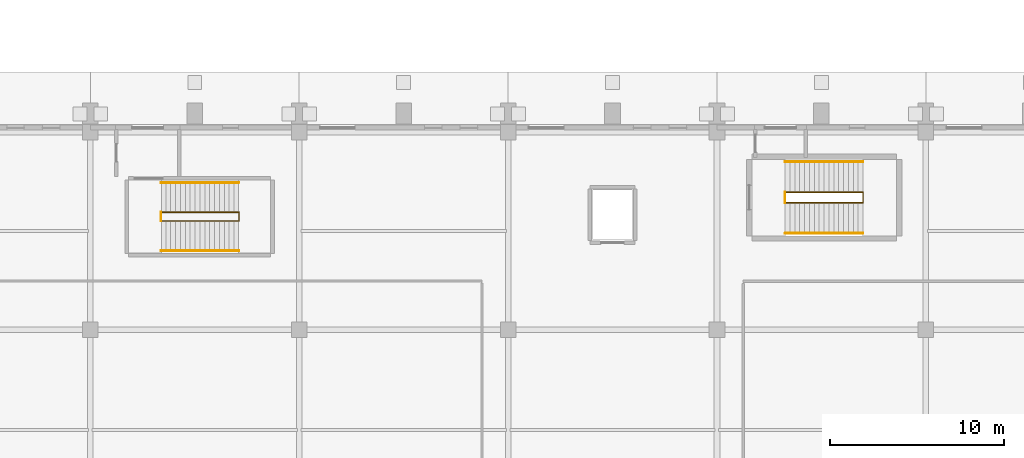
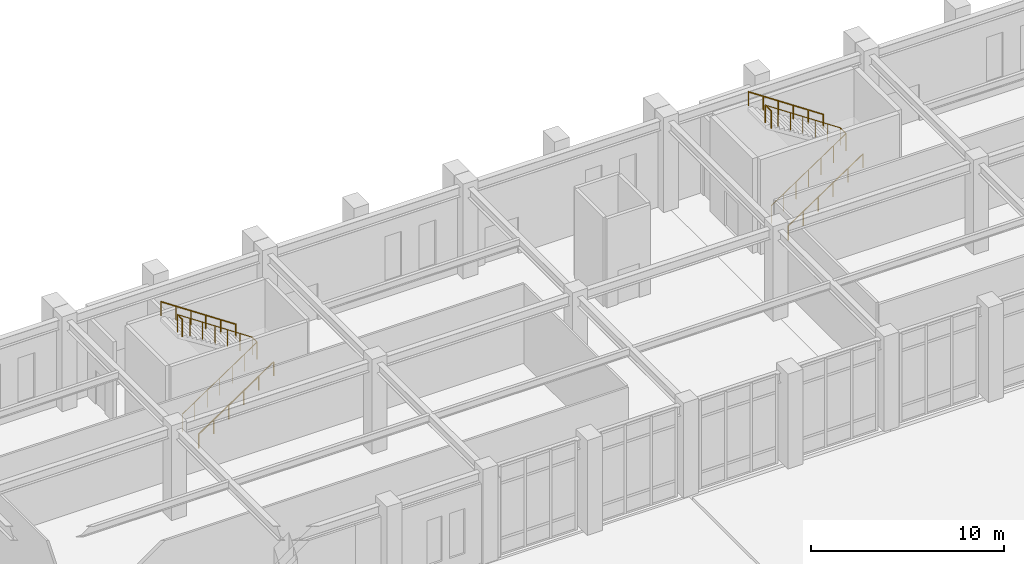
# One storey, part 141 of 143: 8 railings.
"""IFC4 building model written with IfcOpenShell, lengths in metres."""

from ifc_helpers import new_model, si_unit, derived_unit, direction, frame, origin, origin_2d, place, context, subcontext, project, spatial, circle, extrude, material, type_object, element, save


model = new_model("IFC4")

# Units and contexts
model_context = context("Model", 3, precision=1e-05, world=origin(), true_north=direction((0.0, 1.0)))
body_context = subcontext(model_context, "Body", "Model", "MODEL_VIEW")
ifc_project = project(units=[si_unit("LENGTHUNIT", "METRE"), si_unit("AREAUNIT", "SQUARE_METRE"), si_unit("VOLUMEUNIT", "CUBIC_METRE"), si_unit("PLANEANGLEUNIT", "RADIAN"), si_unit("MASSUNIT", "GRAM", prefix="KILO"), derived_unit("THERMALTRANSMITTANCEUNIT", [(si_unit("MASSUNIT", "GRAM", prefix="KILO"), 1), (si_unit("TIMEUNIT", "SECOND"), -3), (si_unit("THERMODYNAMICTEMPERATUREUNIT", "KELVIN"), -1)])], contexts=[model_context])

# Site, building, storey
site_placement = place(None, origin())
site = spatial("IfcSite", under=ifc_project, at=site_placement, CompositionType="ELEMENT")
building_placement = place(site_placement, origin())
building = spatial("IfcBuilding", under=site, at=building_placement, Name="Valcora Ridge Arena", CompositionType="ELEMENT")
storey_placement = place(building_placement, origin())
storey = spatial("IfcBuildingStorey", under=building, at=storey_placement, Name="L00", CompositionType="ELEMENT", Elevation=0.0)

# Railings
ifc_material = material(Name="Galvanized painted steel ASTM A500 Grade B", Category="steel")
railing_type_1 = type_object("IfcRailingType", Name="TY-RAILING-GRD-STAIR-1120", PredefinedType="GUARDRAIL", material=ifc_material)
railing_1_placement = place(storey_placement, frame((147.909912109375, 127.5, 0.0)))
element("IfcRailing", 1, at=railing_1_placement, inside=storey, type_object=railing_type_1, Name="GRD-STAIR-1120 RAL-SG-0083", PredefinedType="GUARDRAIL", context=body_context, shape_type="SweptSolid", body=[
    extrude(circle(Radius=0.02392578125, at=origin_2d()), frame((0.0, 0.0, 1.09619140625), z_axis=(0.830906055479, 0.0, 0.556412730775), x_axis=(0.0, 1.0, 0.0)), (0.0, 0.0, 1.0), 5.3916015625),
    extrude(circle(Radius=0.02392578125, at=origin_2d()), frame((4.47998046875, 0.0, 4.09619140625), z_axis=(0.0, 1.0, 0.0), x_axis=(-1.0, 0.0, 0.0)), (0.0, 0.0, 1.0), 0.60009765625),
    extrude(circle(Radius=0.02392578125, at=origin_2d()), frame((4.47998046875, 0.60009765625, 4.09619140625), z_axis=(-0.830906055479, 0.0, 0.556412730775), x_axis=(0.0, -1.0, 0.0)), (0.0, 0.0, 1.0), 5.3916015625),
    extrude(circle(Radius=0.02099609375, at=origin_2d()), origin(), (0.0, 0.0, 1.0), 1.072021484375),
    extrude(circle(Radius=0.02099609375, at=origin_2d()), frame((0.74658203125, 0.0, 0.5)), (0.0, 0.0, 1.0), 1.072021484375),
    extrude(circle(Radius=0.02099609375, at=origin_2d()), frame((1.493408203125, 0.0, 1.0)), (0.0, 0.0, 1.0), 1.072021484375),
    extrude(circle(Radius=0.02099609375, at=origin_2d()), frame((2.239990234375, 0.0, 1.5)), (0.0, 0.0, 1.0), 1.072021484375),
    extrude(circle(Radius=0.02099609375, at=origin_2d()), frame((2.986572265625, 0.0, 2.0)), (0.0, 0.0, 1.0), 1.072021484375),
    extrude(circle(Radius=0.02099609375, at=origin_2d()), frame((3.7333984375, 0.0, 2.5)), (0.0, 0.0, 1.0), 1.072021484375),
    extrude(circle(Radius=0.02099609375, at=origin_2d()), frame((4.47998046875, 0.0, 3.0)), (0.0, 0.0, 1.0), 1.072021484375),
    extrude(circle(Radius=0.02099609375, at=origin_2d()), frame((4.47998046875, 0.60009765625, 3.0)), (0.0, 0.0, 1.0), 1.072021484375),
    extrude(circle(Radius=0.02099609375, at=origin_2d()), frame((3.7333984375, 0.60009765625, 3.5)), (0.0, 0.0, 1.0), 1.072021484375),
    extrude(circle(Radius=0.02099609375, at=origin_2d()), frame((2.986572265625, 0.60009765625, 4.0)), (0.0, 0.0, 1.0), 1.072021484375),
    extrude(circle(Radius=0.02099609375, at=origin_2d()), frame((2.239990234375, 0.60009765625, 4.5)), (0.0, 0.0, 1.0), 1.072021484375),
    extrude(circle(Radius=0.02099609375, at=origin_2d()), frame((1.493408203125, 0.60009765625, 5.0)), (0.0, 0.0, 1.0), 1.072021484375),
    extrude(circle(Radius=0.02099609375, at=origin_2d()), frame((0.74658203125, 0.60009765625, 5.5)), (0.0, 0.0, 1.0), 1.072021484375),
    extrude(circle(Radius=0.02099609375, at=origin_2d()), frame((0.0, 0.60009765625, 6.0)), (0.0, 0.0, 1.0), 1.072021484375),
])
railing_2_placement = place(storey_placement, frame((147.909912109375, 127.5, 6.0)))
element("IfcRailing", 2, at=railing_2_placement, inside=storey, type_object=railing_type_1, Name="GRD-STAIR-1120 RAL-SG-0084", PredefinedType="GUARDRAIL", context=body_context, shape_type="SweptSolid", body=[
    extrude(circle(Radius=0.02392578125, at=origin_2d()), frame((0.0, 0.0, 1.09619140625), z_axis=(0.0, 1.0, 0.0), x_axis=(-1.0, 0.0, 0.0)), (0.0, 0.0, 1.0), 0.60009765625),
    extrude(circle(Radius=0.02099609375, at=origin_2d()), origin(), (0.0, 0.0, 1.0), 1.072021484375),
    extrude(circle(Radius=0.02099609375, at=origin_2d()), frame((0.0, 0.60009765625, 0.0)), (0.0, 0.0, 1.0), 1.072021484375),
])
railing_3_placement = place(storey_placement, frame((112.06005859375, 126.449951171875, 0.0)))
element("IfcRailing", 3, at=railing_3_placement, inside=storey, type_object=railing_type_1, Name="GRD-STAIR-1120 RAL-SG-0161", PredefinedType="GUARDRAIL", context=body_context, shape_type="SweptSolid", body=[
    extrude(circle(Radius=0.02392578125, at=origin_2d()), frame((0.0, 0.0, 1.09619140625), z_axis=(0.830906055479, 0.0, 0.556412730775), x_axis=(0.0, 1.0, 0.0)), (0.0, 0.0, 1.0), 5.3916015625),
    extrude(circle(Radius=0.02392578125, at=origin_2d()), frame((4.47998046875, 0.0, 4.09619140625), z_axis=(0.0, 1.0, 0.0), x_axis=(-1.0, 0.0, 0.0)), (0.0, 0.0, 1.0), 0.5),
    extrude(circle(Radius=0.02392578125, at=origin_2d()), frame((4.47998046875, 0.5, 4.09619140625), z_axis=(-0.830906055479, 0.0, 0.556412730775), x_axis=(0.0, -1.0, 0.0)), (0.0, 0.0, 1.0), 5.3916015625),
    extrude(circle(Radius=0.02099609375, at=origin_2d()), origin(), (0.0, 0.0, 1.0), 1.072021484375),
    extrude(circle(Radius=0.02099609375, at=origin_2d()), frame((0.74658203125, 0.0, 0.5)), (0.0, 0.0, 1.0), 1.072021484375),
    extrude(circle(Radius=0.02099609375, at=origin_2d()), frame((1.493408203125, 0.0, 1.0)), (0.0, 0.0, 1.0), 1.072021484375),
    extrude(circle(Radius=0.02099609375, at=origin_2d()), frame((2.239990234375, 0.0, 1.5)), (0.0, 0.0, 1.0), 1.072021484375),
    extrude(circle(Radius=0.02099609375, at=origin_2d()), frame((2.986572265625, 0.0, 2.0)), (0.0, 0.0, 1.0), 1.072021484375),
    extrude(circle(Radius=0.02099609375, at=origin_2d()), frame((3.7333984375, 0.0, 2.5)), (0.0, 0.0, 1.0), 1.072021484375),
    extrude(circle(Radius=0.02099609375, at=origin_2d()), frame((4.47998046875, 0.0, 3.0)), (0.0, 0.0, 1.0), 1.072021484375),
    extrude(circle(Radius=0.02099609375, at=origin_2d()), frame((4.47998046875, 0.5, 3.0)), (0.0, 0.0, 1.0), 1.072021484375),
    extrude(circle(Radius=0.02099609375, at=origin_2d()), frame((3.7333984375, 0.5, 3.5)), (0.0, 0.0, 1.0), 1.072021484375),
    extrude(circle(Radius=0.02099609375, at=origin_2d()), frame((2.986572265625, 0.5, 4.0)), (0.0, 0.0, 1.0), 1.072021484375),
    extrude(circle(Radius=0.02099609375, at=origin_2d()), frame((2.239990234375, 0.5, 4.5)), (0.0, 0.0, 1.0), 1.072021484375),
    extrude(circle(Radius=0.02099609375, at=origin_2d()), frame((1.493408203125, 0.5, 5.0)), (0.0, 0.0, 1.0), 1.072021484375),
    extrude(circle(Radius=0.02099609375, at=origin_2d()), frame((0.74658203125, 0.5, 5.5)), (0.0, 0.0, 1.0), 1.072021484375),
    extrude(circle(Radius=0.02099609375, at=origin_2d()), frame((0.0, 0.5, 6.0)), (0.0, 0.0, 1.0), 1.072021484375),
])
railing_4_placement = place(storey_placement, frame((112.06005859375, 126.449951171875, 6.0)))
element("IfcRailing", 4, at=railing_4_placement, inside=storey, type_object=railing_type_1, Name="GRD-STAIR-1120 RAL-SG-0162", PredefinedType="GUARDRAIL", context=body_context, shape_type="SweptSolid", body=[
    extrude(circle(Radius=0.02392578125, at=origin_2d()), frame((0.0, 0.0, 1.09619140625), z_axis=(0.0, 1.0, 0.0), x_axis=(-1.0, 0.0, 0.0)), (0.0, 0.0, 1.0), 0.5),
    extrude(circle(Radius=0.02099609375, at=origin_2d()), origin(), (0.0, 0.0, 1.0), 1.072021484375),
    extrude(circle(Radius=0.02099609375, at=origin_2d()), frame((0.0, 0.5, 0.0)), (0.0, 0.0, 1.0), 1.072021484375),
])
railing_type_2 = type_object("IfcRailingType", Name="TY-RAILING-HR-STAIR-900", PredefinedType="HANDRAIL", material=ifc_material)
railing_5_placement = place(storey_placement, frame((147.909912109375, 125.739990234375, 0.0)))
element("IfcRailing", 5, at=railing_5_placement, inside=storey, type_object=railing_type_2, Name="HR-STAIR-900 RAL-SH-0083", PredefinedType="HANDRAIL", context=body_context, shape_type="SweptSolid", body=[
    extrude(circle(Radius=0.02392578125, at=origin_2d()), frame((0.0, 0.0, 0.8759765625), z_axis=(0.830906055479, 0.0, 0.556412730775), x_axis=(0.0, 1.0, 0.0)), (0.0, 0.0, 1.0), 5.3916015625),
    extrude(circle(Radius=0.02099609375, at=origin_2d()), origin(), (0.0, 0.0, 1.0), 0.851806640625),
    extrude(circle(Radius=0.02099609375, at=origin_2d()), frame((0.89599609375, 0.0, 0.60009765625)), (0.0, 0.0, 1.0), 0.851806640625),
    extrude(circle(Radius=0.02099609375, at=origin_2d()), frame((1.7919921875, 0.0, 1.199951171875)), (0.0, 0.0, 1.0), 0.851806640625),
    extrude(circle(Radius=0.02099609375, at=origin_2d()), frame((2.68798828125, 0.0, 1.800048828125)), (0.0, 0.0, 1.0), 0.851806640625),
    extrude(circle(Radius=0.02099609375, at=origin_2d()), frame((3.583984375, 0.0, 2.39990234375)), (0.0, 0.0, 1.0), 0.851806640625),
    extrude(circle(Radius=0.02099609375, at=origin_2d()), frame((4.47998046875, 0.0, 3.0)), (0.0, 0.0, 1.0), 0.851806640625),
])
railing_6_placement = place(storey_placement, frame((152.389892578125, 129.860107421875, 3.0)))
element("IfcRailing", 6, at=railing_6_placement, inside=storey, type_object=railing_type_2, Name="HR-STAIR-900 RAL-SH-0084", PredefinedType="HANDRAIL", context=body_context, shape_type="SweptSolid", body=[
    extrude(circle(Radius=0.02392578125, at=origin_2d()), frame((0.0, 0.0, 0.8759765625), z_axis=(-0.830906055479, 0.0, 0.556412730775), x_axis=(0.0, -1.0, 0.0)), (0.0, 0.0, 1.0), 5.3916015625),
    extrude(circle(Radius=0.02099609375, at=origin_2d()), origin(), (0.0, 0.0, 1.0), 0.851806640625),
    extrude(circle(Radius=0.02099609375, at=origin_2d()), frame((-0.89599609375, 0.0, 0.60009765625)), (0.0, 0.0, 1.0), 0.851806640625),
    extrude(circle(Radius=0.02099609375, at=origin_2d()), frame((-1.7919921875, 0.0, 1.199951171875)), (0.0, 0.0, 1.0), 0.851806640625),
    extrude(circle(Radius=0.02099609375, at=origin_2d()), frame((-2.68798828125, 0.0, 1.800048828125)), (0.0, 0.0, 1.0), 0.851806640625),
    extrude(circle(Radius=0.02099609375, at=origin_2d()), frame((-3.583984375, 0.0, 2.39990234375)), (0.0, 0.0, 1.0), 0.851806640625),
    extrude(circle(Radius=0.02099609375, at=origin_2d()), frame((-4.47998046875, 0.0, 3.0)), (0.0, 0.0, 1.0), 0.851806640625),
])
railing_7_placement = place(storey_placement, frame((112.06005859375, 124.739990234375, 0.0)))
element("IfcRailing", 7, at=railing_7_placement, inside=storey, type_object=railing_type_2, Name="HR-STAIR-900 RAL-SH-0161", PredefinedType="HANDRAIL", context=body_context, shape_type="SweptSolid", body=[
    extrude(circle(Radius=0.02392578125, at=origin_2d()), frame((0.0, 0.0, 0.8759765625), z_axis=(0.830906055479, 0.0, 0.556412730775), x_axis=(0.0, 1.0, 0.0)), (0.0, 0.0, 1.0), 5.3916015625),
    extrude(circle(Radius=0.02099609375, at=origin_2d()), origin(), (0.0, 0.0, 1.0), 0.851806640625),
    extrude(circle(Radius=0.02099609375, at=origin_2d()), frame((0.89599609375, 0.0, 0.60009765625)), (0.0, 0.0, 1.0), 0.851806640625),
    extrude(circle(Radius=0.02099609375, at=origin_2d()), frame((1.7919921875, 0.0, 1.199951171875)), (0.0, 0.0, 1.0), 0.851806640625),
    extrude(circle(Radius=0.02099609375, at=origin_2d()), frame((2.68798828125, 0.0, 1.800048828125)), (0.0, 0.0, 1.0), 0.851806640625),
    extrude(circle(Radius=0.02099609375, at=origin_2d()), frame((3.583984375, 0.0, 2.39990234375)), (0.0, 0.0, 1.0), 0.851806640625),
    extrude(circle(Radius=0.02099609375, at=origin_2d()), frame((4.47998046875, 0.0, 3.0)), (0.0, 0.0, 1.0), 0.851806640625),
])
railing_8_placement = place(storey_placement, frame((116.5400390625, 128.659912109375, 3.0)))
element("IfcRailing", 8, at=railing_8_placement, inside=storey, type_object=railing_type_2, Name="HR-STAIR-900 RAL-SH-0162", PredefinedType="HANDRAIL", context=body_context, shape_type="SweptSolid", body=[
    extrude(circle(Radius=0.02392578125, at=origin_2d()), frame((0.0, 0.0, 0.8759765625), z_axis=(-0.830906055479, 0.0, 0.556412730775), x_axis=(0.0, -1.0, 0.0)), (0.0, 0.0, 1.0), 5.3916015625),
    extrude(circle(Radius=0.02099609375, at=origin_2d()), origin(), (0.0, 0.0, 1.0), 0.851806640625),
    extrude(circle(Radius=0.02099609375, at=origin_2d()), frame((-0.89599609375, 0.0, 0.60009765625)), (0.0, 0.0, 1.0), 0.851806640625),
    extrude(circle(Radius=0.02099609375, at=origin_2d()), frame((-1.7919921875, 0.0, 1.199951171875)), (0.0, 0.0, 1.0), 0.851806640625),
    extrude(circle(Radius=0.02099609375, at=origin_2d()), frame((-2.68798828125, 0.0, 1.800048828125)), (0.0, 0.0, 1.0), 0.851806640625),
    extrude(circle(Radius=0.02099609375, at=origin_2d()), frame((-3.583984375, 0.0, 2.39990234375)), (0.0, 0.0, 1.0), 0.851806640625),
    extrude(circle(Radius=0.02099609375, at=origin_2d()), frame((-4.47998046875, 0.0, 3.0)), (0.0, 0.0, 1.0), 0.851806640625),
])

save(model, "model.ifc")
